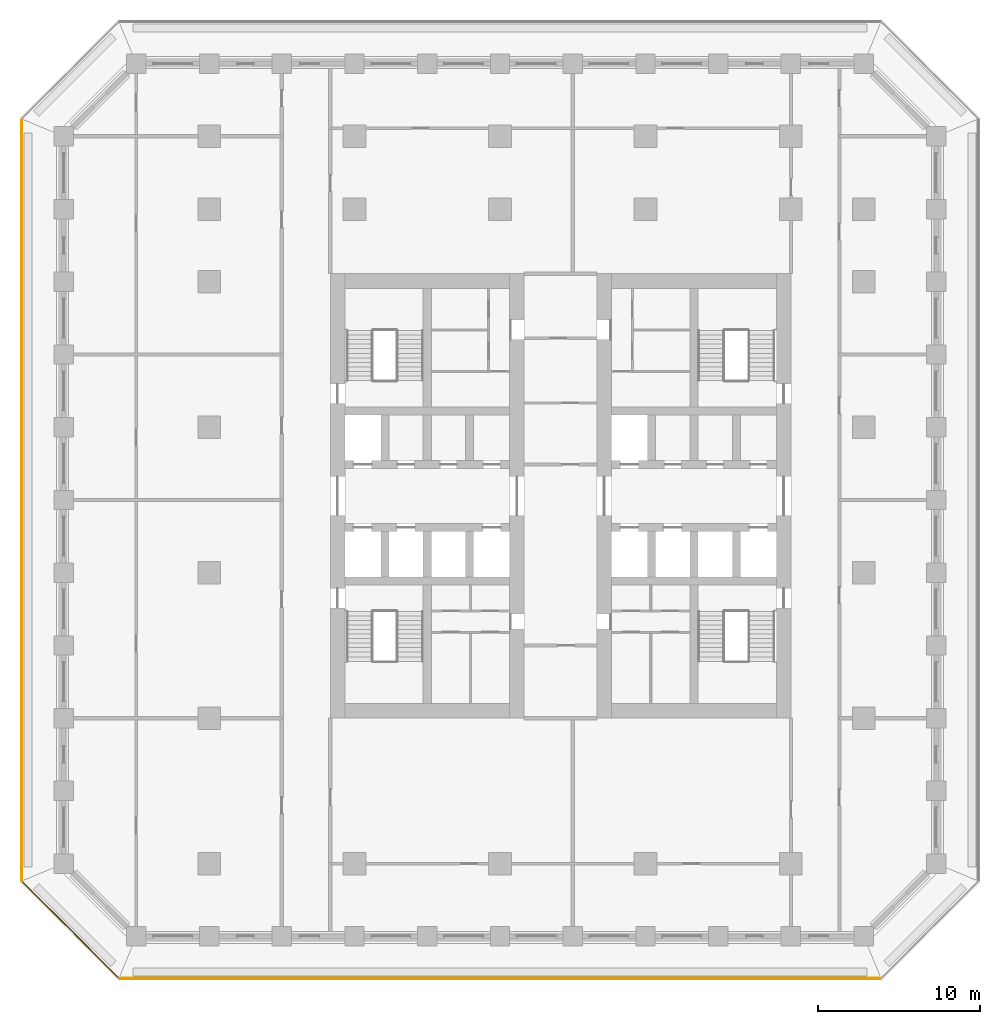
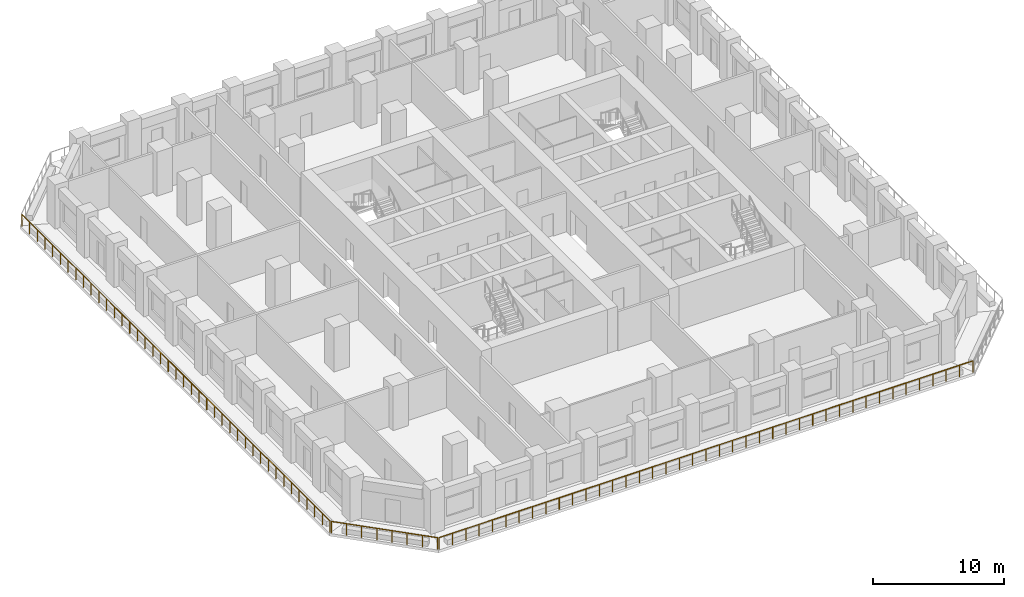
# One storey, part 9 of 16: 3 railings.
"""IFC4 building model written with IfcOpenShell, lengths in metres."""

from ifc_helpers import new_model, si_unit, direction, frame, origin, origin_2d, place, context, subcontext, project, spatial, circle, extrude, material, type_object, element, save


model = new_model("IFC4")

# Units and contexts
model_context = context("Model", 3, precision=1e-05, world=origin(), true_north=direction((0.0, 1.0)))
body_context = subcontext(model_context, "Body", "Model", "MODEL_VIEW")
ifc_project = project(units=[si_unit("LENGTHUNIT", "METRE"), si_unit("AREAUNIT", "SQUARE_METRE"), si_unit("VOLUMEUNIT", "CUBIC_METRE"), si_unit("PLANEANGLEUNIT", "RADIAN"), si_unit("MASSUNIT", "GRAM", prefix="KILO")], contexts=[model_context])

# Site, building, storey
site_placement = place(None, origin())
site = spatial("IfcSite", under=ifc_project, at=site_placement, CompositionType="ELEMENT")
building_placement = place(site_placement, origin())
building = spatial("IfcBuilding", under=site, at=building_placement, Name="Corbel Stack Research Tower", CompositionType="ELEMENT")
storey_placement = place(building_placement, frame((0.0, 0.0, 137.199951171875)))
storey = spatial("IfcBuildingStorey", under=building, at=storey_placement, Name="L31", CompositionType="ELEMENT", Elevation=137.199951171875)

# Railings
ifc_material = material(Name="Powder-coated steel guard", Category="steel")
railing_type = type_object("IfcRailingType", Name="Steel and glass guard 1100", PredefinedType="GUARDRAIL", material=ifc_material)
railing_1_placement = place(storey_placement, frame((-23.50537109375, -25.10009765625, 0.0)))
element("IfcRailing", 1, at=railing_1_placement, inside=storey, type_object=railing_type, Name="Loggia guard L31 S", PredefinedType="GUARDRAIL", context=body_context, shape_type="SweptSolid", body=[
    extrude(circle(Radius=0.02392578125, at=origin_2d()), frame((0.0, 0.0, 1.076171875), z_axis=(1.0, 0.0, 0.0), x_axis=(0.0, 1.0, 0.0)), (0.0, 0.0, 1.0), 47.0107421875),
    extrude(circle(Radius=0.02099609375, at=origin_2d()), origin(), (0.0, 0.0, 1.0), 1.052001953125),
    extrude(circle(Radius=0.02099609375, at=origin_2d()), frame((1.17529296875, 0.0, 0.0)), (0.0, 0.0, 1.0), 1.052001953125),
    extrude(circle(Radius=0.02099609375, at=origin_2d()), frame((2.3505859375, 0.0, 0.0)), (0.0, 0.0, 1.0), 1.052001953125),
    extrude(circle(Radius=0.02099609375, at=origin_2d()), frame((3.52587890625, 0.0, 0.0)), (0.0, 0.0, 1.0), 1.052001953125),
    extrude(circle(Radius=0.02099609375, at=origin_2d()), frame((4.701171875, 0.0, 0.0)), (0.0, 0.0, 1.0), 1.052001953125),
    extrude(circle(Radius=0.02099609375, at=origin_2d()), frame((5.87646484375, 0.0, 0.0)), (0.0, 0.0, 1.0), 1.052001953125),
    extrude(circle(Radius=0.02099609375, at=origin_2d()), frame((7.051513671875, 0.0, 0.0)), (0.0, 0.0, 1.0), 1.052001953125),
    extrude(circle(Radius=0.02099609375, at=origin_2d()), frame((8.226806640625, 0.0, 0.0)), (0.0, 0.0, 1.0), 1.052001953125),
    extrude(circle(Radius=0.02099609375, at=origin_2d()), frame((9.402099609375, 0.0, 0.0)), (0.0, 0.0, 1.0), 1.052001953125),
    extrude(circle(Radius=0.02099609375, at=origin_2d()), frame((10.577392578125, 0.0, 0.0)), (0.0, 0.0, 1.0), 1.052001953125),
    extrude(circle(Radius=0.02099609375, at=origin_2d()), frame((11.752685546875, 0.0, 0.0)), (0.0, 0.0, 1.0), 1.052001953125),
    extrude(circle(Radius=0.02099609375, at=origin_2d()), frame((12.927978515625, 0.0, 0.0)), (0.0, 0.0, 1.0), 1.052001953125),
    extrude(circle(Radius=0.02099609375, at=origin_2d()), frame((14.103271484375, 0.0, 0.0)), (0.0, 0.0, 1.0), 1.052001953125),
    extrude(circle(Radius=0.02099609375, at=origin_2d()), frame((15.278564453125, 0.0, 0.0)), (0.0, 0.0, 1.0), 1.052001953125),
    extrude(circle(Radius=0.02099609375, at=origin_2d()), frame((16.453857421875, 0.0, 0.0)), (0.0, 0.0, 1.0), 1.052001953125),
    extrude(circle(Radius=0.02099609375, at=origin_2d()), frame((17.62890625, 0.0, 0.0)), (0.0, 0.0, 1.0), 1.052001953125),
    extrude(circle(Radius=0.02099609375, at=origin_2d()), frame((18.80419921875, 0.0, 0.0)), (0.0, 0.0, 1.0), 1.052001953125),
    extrude(circle(Radius=0.02099609375, at=origin_2d()), frame((19.9794921875, 0.0, 0.0)), (0.0, 0.0, 1.0), 1.052001953125),
    extrude(circle(Radius=0.02099609375, at=origin_2d()), frame((21.15478515625, 0.0, 0.0)), (0.0, 0.0, 1.0), 1.052001953125),
    extrude(circle(Radius=0.02099609375, at=origin_2d()), frame((22.330078125, 0.0, 0.0)), (0.0, 0.0, 1.0), 1.052001953125),
    extrude(circle(Radius=0.02099609375, at=origin_2d()), frame((23.50537109375, 0.0, 0.0)), (0.0, 0.0, 1.0), 1.052001953125),
    extrude(circle(Radius=0.02099609375, at=origin_2d()), frame((24.6806640625, 0.0, 0.0)), (0.0, 0.0, 1.0), 1.052001953125),
    extrude(circle(Radius=0.02099609375, at=origin_2d()), frame((25.85595703125, 0.0, 0.0)), (0.0, 0.0, 1.0), 1.052001953125),
    extrude(circle(Radius=0.02099609375, at=origin_2d()), frame((27.03125, 0.0, 0.0)), (0.0, 0.0, 1.0), 1.052001953125),
    extrude(circle(Radius=0.02099609375, at=origin_2d()), frame((28.20654296875, 0.0, 0.0)), (0.0, 0.0, 1.0), 1.052001953125),
    extrude(circle(Radius=0.02099609375, at=origin_2d()), frame((29.3818359375, 0.0, 0.0)), (0.0, 0.0, 1.0), 1.052001953125),
    extrude(circle(Radius=0.02099609375, at=origin_2d()), frame((30.556884765625, 0.0, 0.0)), (0.0, 0.0, 1.0), 1.052001953125),
    extrude(circle(Radius=0.02099609375, at=origin_2d()), frame((31.732177734375, 0.0, 0.0)), (0.0, 0.0, 1.0), 1.052001953125),
    extrude(circle(Radius=0.02099609375, at=origin_2d()), frame((32.907470703125, 0.0, 0.0)), (0.0, 0.0, 1.0), 1.052001953125),
    extrude(circle(Radius=0.02099609375, at=origin_2d()), frame((34.082763671875, 0.0, 0.0)), (0.0, 0.0, 1.0), 1.052001953125),
    extrude(circle(Radius=0.02099609375, at=origin_2d()), frame((35.258056640625, 0.0, 0.0)), (0.0, 0.0, 1.0), 1.052001953125),
    extrude(circle(Radius=0.02099609375, at=origin_2d()), frame((36.433349609375, 0.0, 0.0)), (0.0, 0.0, 1.0), 1.052001953125),
    extrude(circle(Radius=0.02099609375, at=origin_2d()), frame((37.608642578125, 0.0, 0.0)), (0.0, 0.0, 1.0), 1.052001953125),
    extrude(circle(Radius=0.02099609375, at=origin_2d()), frame((38.783935546875, 0.0, 0.0)), (0.0, 0.0, 1.0), 1.052001953125),
    extrude(circle(Radius=0.02099609375, at=origin_2d()), frame((39.959228515625, 0.0, 0.0)), (0.0, 0.0, 1.0), 1.052001953125),
    extrude(circle(Radius=0.02099609375, at=origin_2d()), frame((41.13427734375, 0.0, 0.0)), (0.0, 0.0, 1.0), 1.052001953125),
    extrude(circle(Radius=0.02099609375, at=origin_2d()), frame((42.3095703125, 0.0, 0.0)), (0.0, 0.0, 1.0), 1.052001953125),
    extrude(circle(Radius=0.02099609375, at=origin_2d()), frame((43.48486328125, 0.0, 0.0)), (0.0, 0.0, 1.0), 1.052001953125),
    extrude(circle(Radius=0.02099609375, at=origin_2d()), frame((44.66015625, 0.0, 0.0)), (0.0, 0.0, 1.0), 1.052001953125),
    extrude(circle(Radius=0.02099609375, at=origin_2d()), frame((45.83544921875, 0.0, 0.0)), (0.0, 0.0, 1.0), 1.052001953125),
    extrude(circle(Radius=0.02099609375, at=origin_2d()), frame((47.0107421875, 0.0, 0.0)), (0.0, 0.0, 1.0), 1.052001953125),
])
railing_2_placement = place(storey_placement, frame((-29.60009765625, 28.00537109375, 0.0)))
element("IfcRailing", 2, at=railing_2_placement, inside=storey, type_object=railing_type, Name="Loggia guard L31 W", PredefinedType="GUARDRAIL", context=body_context, shape_type="SweptSolid", body=[
    extrude(circle(Radius=0.02392578125, at=origin_2d()), frame((0.0, 0.0, 1.076171875), z_axis=(0.0, -1.0, 0.0), x_axis=(1.0, 0.0, 0.0)), (0.0, 0.0, 1.0), 47.0107421875),
    extrude(circle(Radius=0.02099609375, at=origin_2d()), origin(), (0.0, 0.0, 1.0), 1.052001953125),
    extrude(circle(Radius=0.02099609375, at=origin_2d()), frame((0.0, -1.17529296875, 0.0)), (0.0, 0.0, 1.0), 1.052001953125),
    extrude(circle(Radius=0.02099609375, at=origin_2d()), frame((0.0, -2.3505859375, 0.0)), (0.0, 0.0, 1.0), 1.052001953125),
    extrude(circle(Radius=0.02099609375, at=origin_2d()), frame((0.0, -3.52587890625, 0.0)), (0.0, 0.0, 1.0), 1.052001953125),
    extrude(circle(Radius=0.02099609375, at=origin_2d()), frame((0.0, -4.701171875, 0.0)), (0.0, 0.0, 1.0), 1.052001953125),
    extrude(circle(Radius=0.02099609375, at=origin_2d()), frame((0.0, -5.87646484375, 0.0)), (0.0, 0.0, 1.0), 1.052001953125),
    extrude(circle(Radius=0.02099609375, at=origin_2d()), frame((0.0, -7.051513671875, 0.0)), (0.0, 0.0, 1.0), 1.052001953125),
    extrude(circle(Radius=0.02099609375, at=origin_2d()), frame((0.0, -8.226806640625, 0.0)), (0.0, 0.0, 1.0), 1.052001953125),
    extrude(circle(Radius=0.02099609375, at=origin_2d()), frame((0.0, -9.402099609375, 0.0)), (0.0, 0.0, 1.0), 1.052001953125),
    extrude(circle(Radius=0.02099609375, at=origin_2d()), frame((0.0, -10.577392578125, 0.0)), (0.0, 0.0, 1.0), 1.052001953125),
    extrude(circle(Radius=0.02099609375, at=origin_2d()), frame((0.0, -11.752685546875, 0.0)), (0.0, 0.0, 1.0), 1.052001953125),
    extrude(circle(Radius=0.02099609375, at=origin_2d()), frame((0.0, -12.927978515625, 0.0)), (0.0, 0.0, 1.0), 1.052001953125),
    extrude(circle(Radius=0.02099609375, at=origin_2d()), frame((0.0, -14.103271484375, 0.0)), (0.0, 0.0, 1.0), 1.052001953125),
    extrude(circle(Radius=0.02099609375, at=origin_2d()), frame((0.0, -15.278564453125, 0.0)), (0.0, 0.0, 1.0), 1.052001953125),
    extrude(circle(Radius=0.02099609375, at=origin_2d()), frame((0.0, -16.453857421875, 0.0)), (0.0, 0.0, 1.0), 1.052001953125),
    extrude(circle(Radius=0.02099609375, at=origin_2d()), frame((0.0, -17.62890625, 0.0)), (0.0, 0.0, 1.0), 1.052001953125),
    extrude(circle(Radius=0.02099609375, at=origin_2d()), frame((0.0, -18.80419921875, 0.0)), (0.0, 0.0, 1.0), 1.052001953125),
    extrude(circle(Radius=0.02099609375, at=origin_2d()), frame((0.0, -19.9794921875, 0.0)), (0.0, 0.0, 1.0), 1.052001953125),
    extrude(circle(Radius=0.02099609375, at=origin_2d()), frame((0.0, -21.15478515625, 0.0)), (0.0, 0.0, 1.0), 1.052001953125),
    extrude(circle(Radius=0.02099609375, at=origin_2d()), frame((0.0, -22.330078125, 0.0)), (0.0, 0.0, 1.0), 1.052001953125),
    extrude(circle(Radius=0.02099609375, at=origin_2d()), frame((0.0, -23.50537109375, 0.0)), (0.0, 0.0, 1.0), 1.052001953125),
    extrude(circle(Radius=0.02099609375, at=origin_2d()), frame((0.0, -24.6806640625, 0.0)), (0.0, 0.0, 1.0), 1.052001953125),
    extrude(circle(Radius=0.02099609375, at=origin_2d()), frame((0.0, -25.85595703125, 0.0)), (0.0, 0.0, 1.0), 1.052001953125),
    extrude(circle(Radius=0.02099609375, at=origin_2d()), frame((0.0, -27.03125, 0.0)), (0.0, 0.0, 1.0), 1.052001953125),
    extrude(circle(Radius=0.02099609375, at=origin_2d()), frame((0.0, -28.20654296875, 0.0)), (0.0, 0.0, 1.0), 1.052001953125),
    extrude(circle(Radius=0.02099609375, at=origin_2d()), frame((0.0, -29.3818359375, 0.0)), (0.0, 0.0, 1.0), 1.052001953125),
    extrude(circle(Radius=0.02099609375, at=origin_2d()), frame((0.0, -30.556884765625, 0.0)), (0.0, 0.0, 1.0), 1.052001953125),
    extrude(circle(Radius=0.02099609375, at=origin_2d()), frame((0.0, -31.732177734375, 0.0)), (0.0, 0.0, 1.0), 1.052001953125),
    extrude(circle(Radius=0.02099609375, at=origin_2d()), frame((0.0, -32.907470703125, 0.0)), (0.0, 0.0, 1.0), 1.052001953125),
    extrude(circle(Radius=0.02099609375, at=origin_2d()), frame((0.0, -34.082763671875, 0.0)), (0.0, 0.0, 1.0), 1.052001953125),
    extrude(circle(Radius=0.02099609375, at=origin_2d()), frame((0.0, -35.258056640625, 0.0)), (0.0, 0.0, 1.0), 1.052001953125),
    extrude(circle(Radius=0.02099609375, at=origin_2d()), frame((0.0, -36.433349609375, 0.0)), (0.0, 0.0, 1.0), 1.052001953125),
    extrude(circle(Radius=0.02099609375, at=origin_2d()), frame((0.0, -37.608642578125, 0.0)), (0.0, 0.0, 1.0), 1.052001953125),
    extrude(circle(Radius=0.02099609375, at=origin_2d()), frame((0.0, -38.783935546875, 0.0)), (0.0, 0.0, 1.0), 1.052001953125),
    extrude(circle(Radius=0.02099609375, at=origin_2d()), frame((0.0, -39.959228515625, 0.0)), (0.0, 0.0, 1.0), 1.052001953125),
    extrude(circle(Radius=0.02099609375, at=origin_2d()), frame((0.0, -41.13427734375, 0.0)), (0.0, 0.0, 1.0), 1.052001953125),
    extrude(circle(Radius=0.02099609375, at=origin_2d()), frame((0.0, -42.3095703125, 0.0)), (0.0, 0.0, 1.0), 1.052001953125),
    extrude(circle(Radius=0.02099609375, at=origin_2d()), frame((0.0, -43.48486328125, 0.0)), (0.0, 0.0, 1.0), 1.052001953125),
    extrude(circle(Radius=0.02099609375, at=origin_2d()), frame((0.0, -44.66015625, 0.0)), (0.0, 0.0, 1.0), 1.052001953125),
    extrude(circle(Radius=0.02099609375, at=origin_2d()), frame((0.0, -45.83544921875, 0.0)), (0.0, 0.0, 1.0), 1.052001953125),
    extrude(circle(Radius=0.02099609375, at=origin_2d()), frame((0.0, -47.0107421875, 0.0)), (0.0, 0.0, 1.0), 1.052001953125),
])
railing_3_placement = place(storey_placement, frame((-29.54931640625, -19.127685546875, 0.0)))
element("IfcRailing", 3, at=railing_3_placement, inside=storey, type_object=railing_type, Name="Loggia guard L31 SW", PredefinedType="GUARDRAIL", context=body_context, shape_type="SweptSolid", body=[
    extrude(circle(Radius=0.02392578125, at=origin_2d()), frame((0.0, 0.0, 1.076171875), z_axis=(0.707106781187, -0.707106781187, 0.0), x_axis=(0.707106781187, 0.707106781187, 0.0)), (0.0, 0.0, 1.0), 8.37451171875),
    extrude(circle(Radius=0.02099609375, at=origin_2d()), origin(), (0.0, 0.0, 1.0), 1.052001953125),
    extrude(circle(Radius=0.02099609375, at=origin_2d()), frame((0.845947265625, -0.845947265625, 0.0)), (0.0, 0.0, 1.0), 1.052001953125),
    extrude(circle(Radius=0.02099609375, at=origin_2d()), frame((1.69189453125, -1.69189453125, 0.0)), (0.0, 0.0, 1.0), 1.052001953125),
    extrude(circle(Radius=0.02099609375, at=origin_2d()), frame((2.537841796875, -2.537841796875, 0.0)), (0.0, 0.0, 1.0), 1.052001953125),
    extrude(circle(Radius=0.02099609375, at=origin_2d()), frame((3.3837890625, -3.3837890625, 0.0)), (0.0, 0.0, 1.0), 1.052001953125),
    extrude(circle(Radius=0.02099609375, at=origin_2d()), frame((4.229736328125, -4.229736328125, 0.0)), (0.0, 0.0, 1.0), 1.052001953125),
    extrude(circle(Radius=0.02099609375, at=origin_2d()), frame((5.07568359375, -5.07568359375, 0.0)), (0.0, 0.0, 1.0), 1.052001953125),
    extrude(circle(Radius=0.02099609375, at=origin_2d()), frame((5.921630859375, -5.921630859375, 0.0)), (0.0, 0.0, 1.0), 1.052001953125),
])

save(model, "model.ifc")
